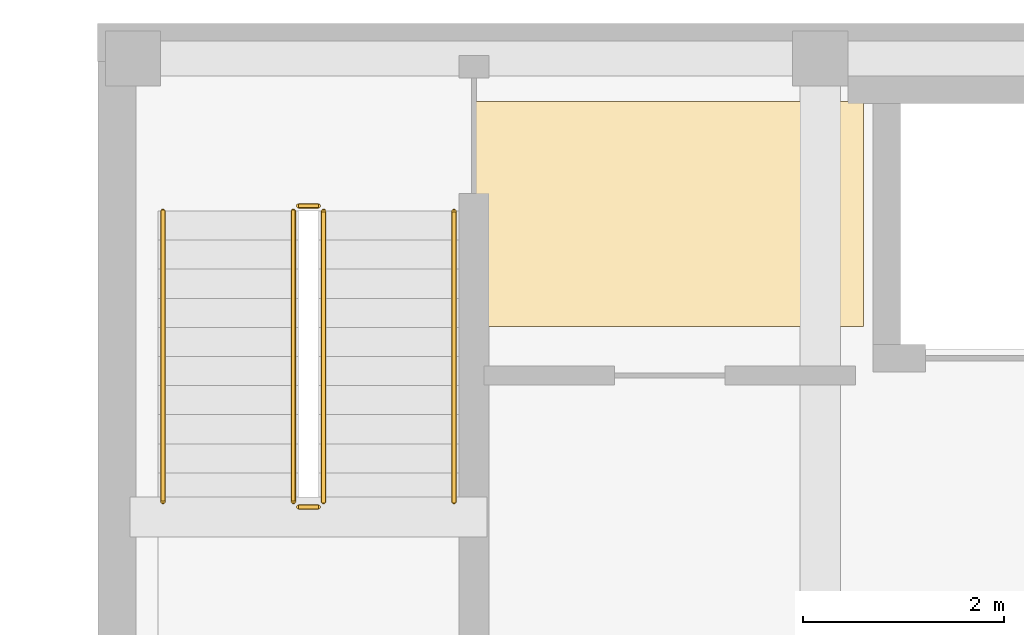
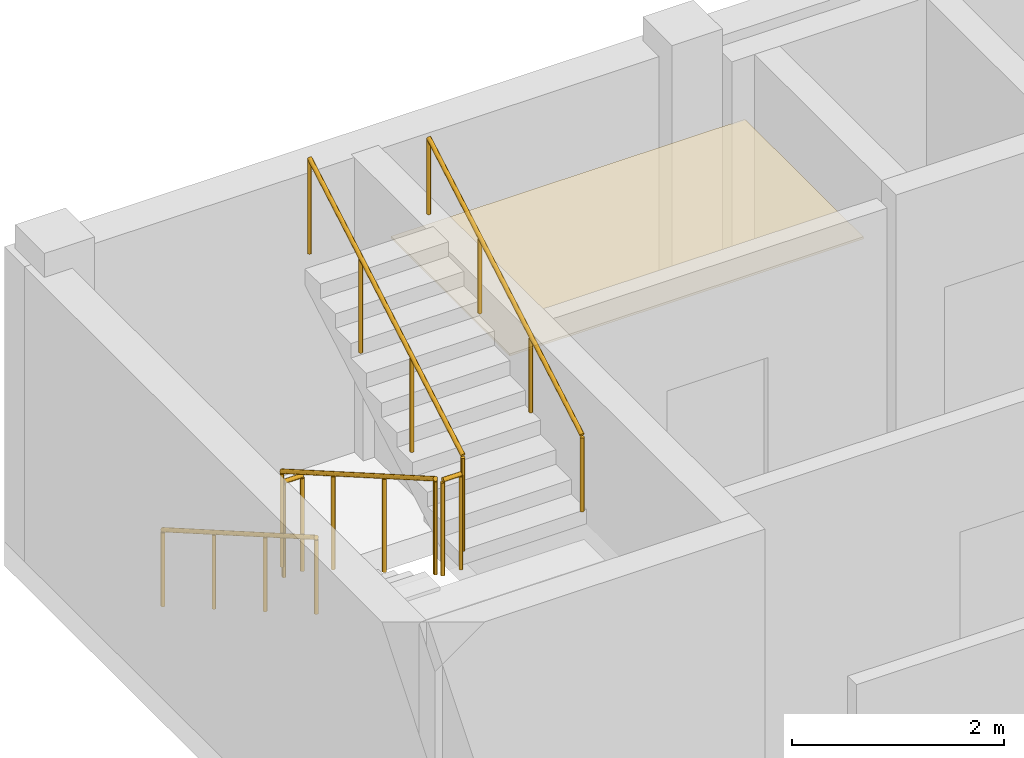
# One storey, part 61 of 73: 6 railings, 1 covering.
"""IFC4 building model written with IfcOpenShell, lengths in metres."""

from ifc_helpers import new_model, si_unit, derived_unit, direction, frame, origin, origin_2d, place, context, subcontext, project, spatial, polyline, circle, outline, extrude, material, layer, layer_set, type_object, element, save


model = new_model("IFC4")

# Units and contexts
model_context = context("Model", 3, precision=1e-05, world=origin(), true_north=direction((0.0, 1.0)))
body_context = subcontext(model_context, "Body", "Model", "MODEL_VIEW")
ifc_project = project(units=[si_unit("LENGTHUNIT", "METRE"), si_unit("AREAUNIT", "SQUARE_METRE"), si_unit("VOLUMEUNIT", "CUBIC_METRE"), si_unit("PLANEANGLEUNIT", "RADIAN"), si_unit("MASSUNIT", "GRAM", prefix="KILO"), derived_unit("THERMALTRANSMITTANCEUNIT", [(si_unit("MASSUNIT", "GRAM", prefix="KILO"), 1), (si_unit("TIMEUNIT", "SECOND"), -3), (si_unit("THERMODYNAMICTEMPERATUREUNIT", "KELVIN"), -1)])], contexts=[model_context])

# Site, building, storey
site_placement = place(None, origin())
site = spatial("IfcSite", under=ifc_project, at=site_placement, CompositionType="ELEMENT")
building_placement = place(site_placement, origin())
building = spatial("IfcBuilding", under=site, at=building_placement, Name="Ochrekiln Boulevard Commons", CompositionType="ELEMENT")
storey_placement = place(building_placement, frame((0.0, 0.0, 4.89990234375)))
storey = spatial("IfcBuildingStorey", under=building, at=storey_placement, Name="L01", CompositionType="ELEMENT", Elevation=4.89990234375)

# Covering
ifc_material_1 = material(Name="Mineral-fibre acoustic ceiling tile")
ifc_layer = layer(ifc_material_1, 0.02490234375)
ifc_layer_set = layer_set([ifc_layer], Name="Mineral-fibre acoustic ceiling tile")
covering_type = type_object("IfcCoveringType", Name="COV-CEIL-AC", PredefinedType="CEILING", material=ifc_layer_set)
covering_placement = place(storey_placement, frame((0.0, 0.0, 2.650146484375)))
element("IfcCovering", 1, at=covering_placement, inside=storey, type_object=covering_type, Name="L01 Acoustic Corridor Ceiling 29", PredefinedType="CEILING", context=body_context, shape_type="SweptSolid", body=[
    extrude(outline(polyline([(111.77001953125, 18.580078125), (115.6298828125, 18.580078125), (115.6298828125, 20.820068359375), (111.77001953125, 20.820068359375), (111.77001953125, 18.580078125)])), origin(), (0.0, 0.0, 1.0), 0.02490234375),
])

# Railings
ifc_material_2 = material(Name="Brushed stainless steel 316 tubular railing", Category="steel")
railing_type_1 = type_object("IfcRailingType", Name="RLG-HDR-900", PredefinedType="HANDRAIL", material=ifc_material_2)
railing_1_placement = place(storey_placement, frame((108.64990234375, 19.72998046875, 0.167236328125)))
element("IfcRailing", 2, at=railing_1_placement, inside=storey, type_object=railing_type_1, Name="L01 ST-E1 stair handrail 1", PredefinedType="HANDRAIL", context=body_context, shape_type="SweptSolid", body=[
    extrude(circle(Radius=0.02392578125, at=origin_2d()), frame((0.0, 0.0, 0.8759765625), z_axis=(0.0, -0.866523023801, 0.499137104634), x_axis=(1.0, 0.0, 0.0)), (0.0, 0.0, 1.0), 3.3466796875),
    extrude(circle(Radius=0.02099609375, at=origin_2d()), origin(), (0.0, 0.0, 1.0), 0.851806640625),
    extrude(circle(Radius=0.02099609375, at=origin_2d()), frame((0.0, -0.966552734375, 0.556884765625)), (0.0, 0.0, 1.0), 0.851806640625),
    extrude(circle(Radius=0.02099609375, at=origin_2d()), frame((0.0, -1.933349609375, 1.113525390625)), (0.0, 0.0, 1.0), 0.851806640625),
    extrude(circle(Radius=0.02099609375, at=origin_2d()), frame((0.0, -2.89990234375, 1.67041015625)), (0.0, 0.0, 1.0), 0.851806640625),
])
railing_2_placement = place(storey_placement, frame((111.550048828125, 16.830078125, 2.004638671875)))
element("IfcRailing", 3, at=railing_2_placement, inside=storey, type_object=railing_type_1, Name="L01 ST-E1 stair handrail 2", PredefinedType="HANDRAIL", context=body_context, shape_type="SweptSolid", body=[
    extrude(circle(Radius=0.02392578125, at=origin_2d()), frame((0.0, 0.0, 0.8759765625), z_axis=(0.0, 0.866523023801, 0.499137104634), x_axis=(-1.0, 0.0, 0.0)), (0.0, 0.0, 1.0), 3.3466796875),
    extrude(circle(Radius=0.02099609375, at=origin_2d()), origin(), (0.0, 0.0, 1.0), 0.851806640625),
    extrude(circle(Radius=0.02099609375, at=origin_2d()), frame((0.0, 0.966552734375, 0.556884765625)), (0.0, 0.0, 1.0), 0.851806640625),
    extrude(circle(Radius=0.02099609375, at=origin_2d()), frame((0.0, 1.933349609375, 1.113525390625)), (0.0, 0.0, 1.0), 0.851806640625),
    extrude(circle(Radius=0.02099609375, at=origin_2d()), frame((0.0, 2.89990234375, 1.67041015625)), (0.0, 0.0, 1.0), 0.851806640625),
])
railing_type_2 = type_object("IfcRailingType", Name="RLG-STR-1120", PredefinedType="BALUSTRADE", material=ifc_material_2)
railing_3_placement = place(storey_placement, frame((109.949951171875, 19.72998046875, 0.167236328125)))
element("IfcRailing", 4, at=railing_3_placement, inside=storey, type_object=railing_type_2, Name="L01 ST-E1 stair guard 1", PredefinedType="BALUSTRADE", context=body_context, shape_type="SweptSolid", body=[
    extrude(circle(Radius=0.02392578125, at=origin_2d()), frame((0.0, 0.0, 1.09619140625), z_axis=(0.0, -0.866523023801, 0.499137104634), x_axis=(1.0, 0.0, 0.0)), (0.0, 0.0, 1.0), 3.3466796875),
    extrude(circle(Radius=0.02099609375, at=origin_2d()), origin(), (0.0, 0.0, 1.0), 1.072021484375),
    extrude(circle(Radius=0.02099609375, at=origin_2d()), frame((0.0, -0.966552734375, 0.556884765625)), (0.0, 0.0, 1.0), 1.072021484375),
    extrude(circle(Radius=0.02099609375, at=origin_2d()), frame((0.0, -1.933349609375, 1.113525390625)), (0.0, 0.0, 1.0), 1.072021484375),
    extrude(circle(Radius=0.02099609375, at=origin_2d()), frame((0.0, -2.89990234375, 1.67041015625)), (0.0, 0.0, 1.0), 1.072021484375),
])
railing_4_placement = place(storey_placement, frame((110.0, 16.780029296875, 1.837646484375)))
element("IfcRailing", 5, at=railing_4_placement, inside=storey, type_object=railing_type_2, Name="L01 ST-E1 stair guard 2", PredefinedType="BALUSTRADE", context=body_context, shape_type="SweptSolid", body=[
    extrude(circle(Radius=0.02392578125, at=origin_2d()), frame((0.0, 0.0, 1.09619140625), z_axis=(1.0, 0.0, 0.0), x_axis=(0.0, 1.0, 0.0)), (0.0, 0.0, 1.0), 0.199951171875),
    extrude(circle(Radius=0.02099609375, at=origin_2d()), origin(), (0.0, 0.0, 1.0), 1.072021484375),
    extrude(circle(Radius=0.02099609375, at=origin_2d()), frame((0.199951171875, 0.0, 0.0)), (0.0, 0.0, 1.0), 1.072021484375),
])
railing_5_placement = place(storey_placement, frame((110.25, 16.830078125, 2.004638671875)))
element("IfcRailing", 6, at=railing_5_placement, inside=storey, type_object=railing_type_2, Name="L01 ST-E1 stair guard 3", PredefinedType="BALUSTRADE", context=body_context, shape_type="SweptSolid", body=[
    extrude(circle(Radius=0.02392578125, at=origin_2d()), frame((0.0, 0.0, 1.09619140625), z_axis=(0.0, 0.866523023801, 0.499137104634), x_axis=(-1.0, 0.0, 0.0)), (0.0, 0.0, 1.0), 3.3466796875),
    extrude(circle(Radius=0.02099609375, at=origin_2d()), origin(), (0.0, 0.0, 1.0), 1.072021484375),
    extrude(circle(Radius=0.02099609375, at=origin_2d()), frame((0.0, 0.966552734375, 0.556884765625)), (0.0, 0.0, 1.0), 1.072021484375),
    extrude(circle(Radius=0.02099609375, at=origin_2d()), frame((0.0, 1.933349609375, 1.113525390625)), (0.0, 0.0, 1.0), 1.072021484375),
    extrude(circle(Radius=0.02099609375, at=origin_2d()), frame((0.0, 2.89990234375, 1.67041015625)), (0.0, 0.0, 1.0), 1.072021484375),
])
railing_6_placement = place(storey_placement, frame((110.0, 19.780029296875, 0.0)))
element("IfcRailing", 7, at=railing_6_placement, inside=storey, type_object=railing_type_2, Name="L01 ST-E1 stair guard 4", PredefinedType="BALUSTRADE", context=body_context, shape_type="SweptSolid", body=[
    extrude(circle(Radius=0.02392578125, at=origin_2d()), frame((0.0, 0.0, 1.09619140625), z_axis=(1.0, 0.0, 0.0), x_axis=(0.0, 1.0, 0.0)), (0.0, 0.0, 1.0), 0.199951171875),
    extrude(circle(Radius=0.02099609375, at=origin_2d()), origin(), (0.0, 0.0, 1.0), 1.072021484375),
    extrude(circle(Radius=0.02099609375, at=origin_2d()), frame((0.199951171875, 0.0, 0.0)), (0.0, 0.0, 1.0), 1.072021484375),
])

save(model, "model.ifc")
